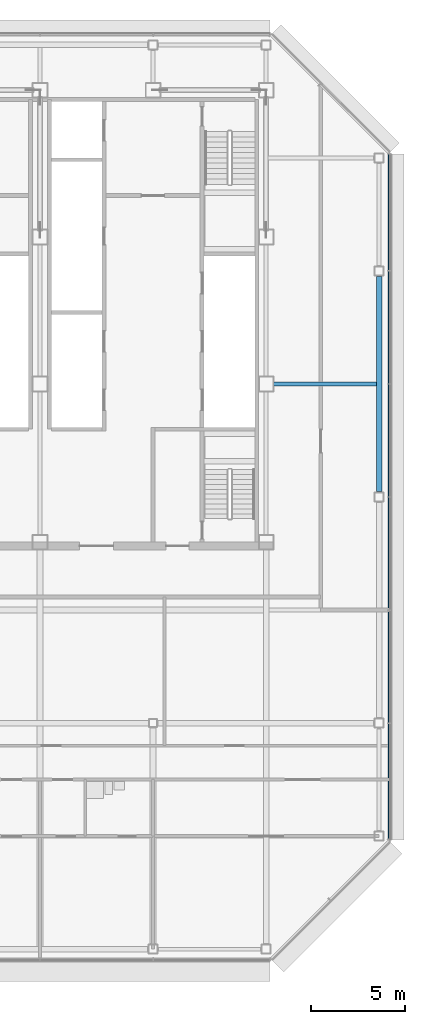
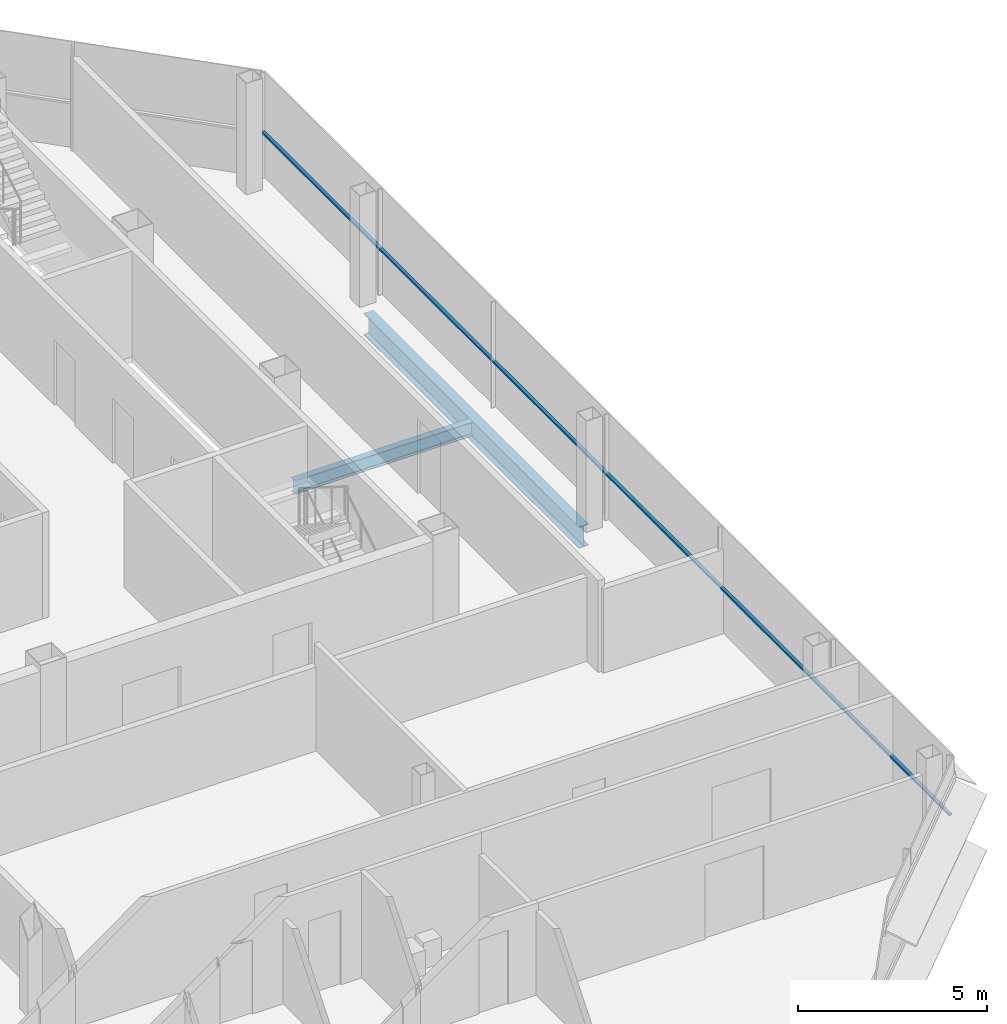
# One storey, part 18 of 28: 2 beams, 1 member, 1 element without a shape of its own.
"""IFC4 building model written with IfcOpenShell, lengths in metres."""

from ifc_helpers import new_model, si_unit, direction, frame, origin, origin_2d, place, context, subcontext, project, spatial, rectangle, i_section, extrude, material, material_profile, profile_set, type_object, element, aggregate, save


model = new_model("IFC4")

# Units and contexts
model_context = context("Model", 3, precision=1e-05, world=origin(), true_north=direction((0.0, 1.0)))
body_context = subcontext(model_context, "Body", "Model", "MODEL_VIEW")
ifc_project = project(units=[si_unit("LENGTHUNIT", "METRE"), si_unit("AREAUNIT", "SQUARE_METRE"), si_unit("VOLUMEUNIT", "CUBIC_METRE"), si_unit("PLANEANGLEUNIT", "RADIAN"), si_unit("MASSUNIT", "GRAM", prefix="KILO")], contexts=[model_context])

# Site, building, storey
site_placement = place(None, origin())
site = spatial("IfcSite", under=ifc_project, at=site_placement, CompositionType="ELEMENT")
building_placement = place(site_placement, origin())
building = spatial("IfcBuilding", under=site, at=building_placement, Name="Sorahane Residences", CompositionType="ELEMENT")
storey_placement = place(building_placement, frame((0.0, 0.0, 301.60009765625)))
storey = spatial("IfcBuildingStorey", under=building, at=storey_placement, Name="L71", CompositionType="ELEMENT", Elevation=301.60009765625)

# Curtain wall, member
ifc_material_1 = material(Name="Dark low-e glass and black anodised aluminium", Category="aluminium")
curtain_wall_type = type_object("IfcCurtainWallType", Name="Curtain wall CW-1 Typical unitised wall", PredefinedType="NOTDEFINED", material=ifc_material_1)
curtain_wall_placement = place(storey_placement, origin())
curtain_wall = element("IfcCurtainWall", 1, at=curtain_wall_placement, inside=storey, type_object=curtain_wall_type, Name="CW-1 curtain wall L71 E1", PredefinedType="NOTDEFINED")
ifc_material_2 = material(Name="Black anodised aluminium", Category="aluminium")
ifc_material_profile_1 = material_profile(ifc_material_2, rectangle(XDim=0.10009765625, YDim=0.06005859375, at=origin_2d()), Name="Curtain wall transom CW-1 black anodised aluminium 60x100")
ifc_profile_set_1 = profile_set([ifc_material_profile_1], Name="Black anodised aluminium")
member_type = type_object("IfcMemberType", Name="Curtain wall transom CW-1 black anodised aluminium 60x100", PredefinedType="USERDEFINED", material=ifc_profile_set_1)
member_placement = place(storey_placement, frame((48.530029296875, 5.801513671875, 1.5), z_axis=(0.0, 1.0, 0.0), x_axis=(-1.0, 0.0, 0.0)))
member = element("IfcMember", 2, at=member_placement, type_object=member_type, Name="CW-1 transom L71 E1", ObjectType="TRANSOM", PredefinedType="USERDEFINED", context=body_context, shape_type="SweptSolid", body=[
    extrude(rectangle(XDim=0.10009765625, YDim=0.06005859375, at=origin_2d()), origin(), (0.0, 0.0, 1.0), 36.39697265625),
])
aggregate(curtain_wall, [member])

# Beams
ifc_material_3 = material(Name="Steel Q355B", Category="steel")
ifc_material_profile_2 = material_profile(ifc_material_3, i_section(OverallWidth=0.199951171875, OverallDepth=0.449951171875, WebThickness=0.009033203125, FlangeThickness=0.013916015625, FilletRadius=0.02001953125, at=origin_2d()), Name="HN 450x200x9x14")
ifc_profile_set_2 = profile_set([ifc_material_profile_2], Name="Steel Q355B")
beam_type_1 = type_object("IfcBeamType", Name="Steel floor beam HN 450x200x9x14 Q355B", PredefinedType="BEAM", material=ifc_profile_set_2)
beam_1_placement = place(storey_placement, frame((42.39990234375, 30.0, -0.405029296875), z_axis=(1.0, 0.0, 0.0), x_axis=(0.0, 1.0, 0.0)))
element("IfcBeam", 3, at=beam_1_placement, inside=storey, type_object=beam_type_1, Name="Beam L71 086", PredefinedType="BEAM", context=body_context, shape_type="SweptSolid", body=[
    extrude(i_section(OverallWidth=0.199951171875, OverallDepth=0.449951171875, WebThickness=0.009033203125, FlangeThickness=0.013916015625, FilletRadius=0.02001953125, at=origin_2d()), origin(), (0.0, 0.0, 1.0), 5.4501953125),
])
ifc_material_4 = material(Name="Steel Q355B", Category="steel")
ifc_material_profile_3 = material_profile(ifc_material_4, i_section(OverallWidth=0.300048828125, OverallDepth=0.699951171875, WebThickness=0.012939453125, FlangeThickness=0.02392578125, FilletRadius=0.028076171875, at=origin_2d()), Name="HN 700x300x13x24")
ifc_profile_set_3 = profile_set([ifc_material_profile_3], Name="Steel Q355B")
beam_type_2 = type_object("IfcBeamType", Name="Steel floor beam HN 700x300x13x24 Q355B", PredefinedType="BEAM", material=ifc_profile_set_3)
beam_2_placement = place(storey_placement, frame((48.0, 24.300048828125, -0.530029296875), z_axis=(0.0, 1.0, 0.0), x_axis=(-1.0, 0.0, 0.0)))
element("IfcBeam", 4, at=beam_2_placement, inside=storey, type_object=beam_type_2, Name="Beam L71 064", PredefinedType="BEAM", context=body_context, shape_type="SweptSolid", body=[
    extrude(i_section(OverallWidth=0.300048828125, OverallDepth=0.699951171875, WebThickness=0.012939453125, FlangeThickness=0.02392578125, FilletRadius=0.028076171875, at=origin_2d()), origin(), (0.0, 0.0, 1.0), 11.39990234375),
])

save(model, "model.ifc")
